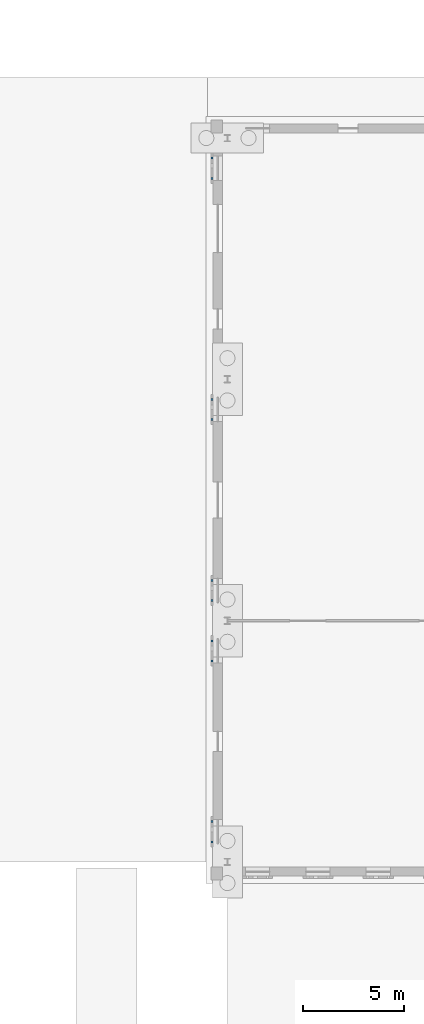
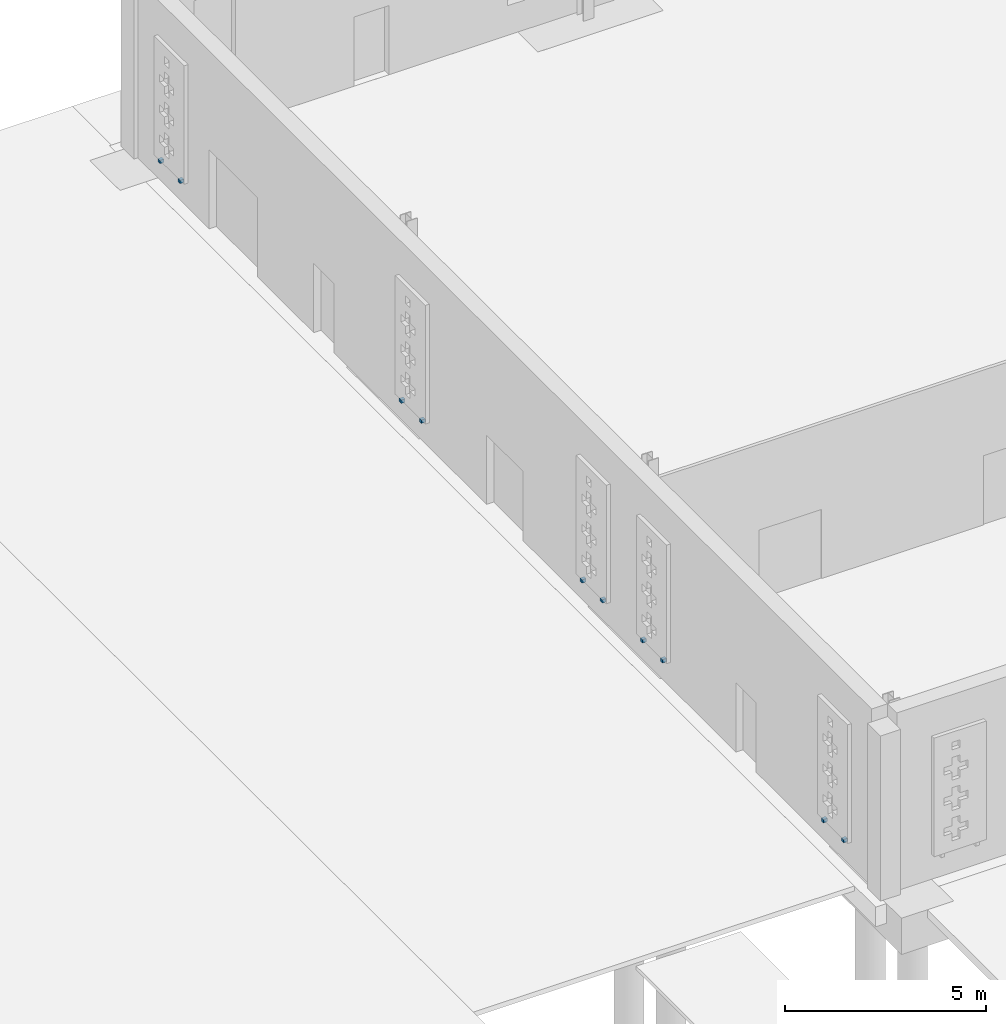
# One storey, part 117 of 132: 10 discrete accessories.
"""IFC4 building model written with IfcOpenShell, lengths in metres."""

import ifcopenshell
import ifcopenshell.guid

model = None  # the IFC model being written
_history = None  # IfcOwnerHistory: only IFC2X3 demands one
_inside = {}  # id of a spatial element -> (the spatial element, [elements in it])
_under = {}  # id of a project, library or spatial element -> (it, [spatial elements below it])
_declared = {}  # id of a project -> (the project, [libraries it declares])
_typed = {}  # id of a type object -> (the type object, [elements of that type])
_made_of = {}  # id of a material, layer set ... -> (it, [elements and type objects made of it])


def new_model(schema):
    """Start an empty IFC model of exactly this schema.

    Asked for "IFC4X3", IfcOpenShell would pick the latest addendum, in which some entities
    have other attributes; the version numbers below select the first issue.
    IFC2X3 requires an IfcOwnerHistory on every rooted entity: one is made here for all.
    """
    global model, _history
    if schema == "IFC4X3":
        model = ifcopenshell.file(schema_version=(4, 3, 0, 0))
    else:
        model = ifcopenshell.file(schema=schema)
    _inside.clear()
    _under.clear()
    _declared.clear()
    _typed.clear()
    _made_of.clear()
    _history = None
    if model.schema == "IFC2X3":
        org = make("IfcOrganization", Name="unknown")
        user = make(
            "IfcPersonAndOrganization",
            ThePerson=make("IfcPerson", FamilyName="unknown"),
            TheOrganization=org,
        )
        app = make(
            "IfcApplication",
            ApplicationDeveloper=org,
            Version="unknown",
            ApplicationFullName="unknown",
            ApplicationIdentifier="unknown",
        )
        _history = make(
            "IfcOwnerHistory",
            OwningUser=user,
            OwningApplication=app,
            ChangeAction="ADDED",
            CreationDate=0,
        )
    return model


def make(cls, **values):
    """One entity of the class cls with the attributes given. An attribute that is None is left unset."""
    return model.create_entity(
        cls, **{name: value for name, value in values.items() if value is not None}
    )


def rooted(cls, **values):
    """An entity with a GlobalId (a new one), such as an element, a storey or a relation."""
    return make(cls, GlobalId=ifcopenshell.guid.new(), OwnerHistory=_history, **values)


def si_unit(unit_type, name, prefix=None):
    """IfcSIUnit, for example si_unit("LENGTHUNIT", "METRE", prefix="MILLI")."""
    return make("IfcSIUnit", UnitType=unit_type, Prefix=prefix, Name=name)


def assignment(units):
    """IfcUnitAssignment: the units of a project."""
    return None if units is None else make("IfcUnitAssignment", Units=units)


def point(xyz):
    """IfcCartesianPoint."""
    return None if xyz is None else make("IfcCartesianPoint", Coordinates=xyz)


def direction(xyz):
    """IfcDirection."""
    return None if xyz is None else make("IfcDirection", DirectionRatios=xyz)


def frame(location, z_axis=None, x_axis=None):
    """IfcAxis2Placement3D, a coordinate frame: its origin and axes. An axis left out is left unset."""
    return make(
        "IfcAxis2Placement3D",
        Location=point(location),
        Axis=direction(z_axis),
        RefDirection=direction(x_axis),
    )


def frame_2d(location, x_axis=None):
    """IfcAxis2Placement2D, a coordinate frame in the plane: its origin and x axis."""
    return make(
        "IfcAxis2Placement2D", Location=point(location), RefDirection=direction(x_axis)
    )


def origin():
    """The frame at (0, 0, 0) with its axes left unset."""
    return frame((0.0, 0.0, 0.0))


def origin_2d():
    """The frame at (0, 0) in the plane with its x axis left unset."""
    return frame_2d((0.0, 0.0))


def place(relative_to, where):
    """IfcLocalPlacement: puts the frame where relative to a parent placement (None: the world)."""
    return make(
        "IfcLocalPlacement", PlacementRelTo=relative_to, RelativePlacement=where
    )


def context(
    kind, dimensions, precision=None, world=None, true_north=None, identifier=None
):
    """IfcGeometricRepresentationContext, for example the 3D "Model" context."""
    return make(
        "IfcGeometricRepresentationContext",
        ContextIdentifier=identifier,
        ContextType=kind,
        CoordinateSpaceDimension=dimensions,
        Precision=precision,
        WorldCoordinateSystem=world,
        TrueNorth=true_north,
    )


def subcontext(parent, identifier, kind, view, scale=None):
    """IfcGeometricRepresentationSubContext, for example "Body" below "Model"."""
    return make(
        "IfcGeometricRepresentationSubContext",
        ContextIdentifier=identifier,
        ContextType=kind,
        ParentContext=parent,
        TargetScale=scale,
        TargetView=view,
    )


def project(units=None, contexts=None):
    """IfcProject with its units and contexts."""
    return rooted(
        "IfcProject",
        Name="project",
        RepresentationContexts=contexts,
        UnitsInContext=assignment(units),
    )


def spatial(cls, under=None, at=None, **own):
    """A site, building, storey or space (cls), placed at a placement, below another one or the project."""
    s = rooted(cls, ObjectPlacement=at, **own)
    if under is not None:
        _under.setdefault(under.id(), (under, []))[1].append(s)
    return s


def profile(cls, at=None, kind="AREA", **sizes):
    """A parametric profile (cls). Its sizes go by their IFC names, for example OverallWidth=200.0."""
    return make(cls, ProfileType=kind, Position=at, **sizes)


def rectangle(**sizes):
    """IfcRectangleProfileDef."""
    return profile("IfcRectangleProfileDef", **sizes)


def extrude(swept, where, along, depth):
    """IfcExtrudedAreaSolid: the profile swept, set in the frame where, extruded along a direction by depth."""
    return make(
        "IfcExtrudedAreaSolid",
        SweptArea=swept,
        Position=where,
        ExtrudedDirection=direction(along),
        Depth=depth,
    )


def shape(context_of_items, identifier, shape_type, items):
    """IfcShapeRepresentation: the items that make up one representation, for example the "Body"."""
    return make(
        "IfcShapeRepresentation",
        ContextOfItems=context_of_items,
        RepresentationIdentifier=identifier,
        RepresentationType=shape_type,
        Items=items,
    )


def material(Name=None, Category=None):
    """IfcMaterial."""
    return make("IfcMaterial", Name=Name, Category=Category)


def made_of(thing, what):
    """Note that an element or type object is made of a material, layer set ...; save() writes the relation."""
    if what is not None:
        _made_of.setdefault(what.id(), (what, []))[1].append(thing)
    return thing


def type_object(cls, material=None, **own):
    """A type object (cls), such as IfcWallType, which elements share."""
    return made_of(rooted(cls, **own), material)


def element(
    cls,
    number,
    at=None,
    inside=None,
    cuts=None,
    type_object=None,
    material=None,
    context=None,
    identifier="Body",
    shape_type=None,
    held_by="IfcProductDefinitionShape",
    body=None,
    shapes=None,
    **own,
):
    """One element of the class cls, such as IfcWall. Its Tag is "e" and its number.

    at: its placement. inside: the storey or other place that contains it. cuts: it is an
    opening in that element (IfcRelVoidsElement). A single representation is given by context,
    identifier, shape_type and body (its items); several are given by shapes. held_by: the class
    of the entity that holds the representations. save() writes the other relations.
    """
    e = rooted(cls, Tag="e%d" % number, ObjectPlacement=at, **own)
    if body is not None:
        shapes = [shape(context, identifier, shape_type, body)]
    if shapes is not None:
        e.Representation = make(held_by, Representations=shapes)
    if inside is not None:
        _inside.setdefault(inside.id(), (inside, []))[1].append(e)
    if cuts is not None:
        rooted(
            "IfcRelVoidsElement", RelatingBuildingElement=cuts, RelatedOpeningElement=e
        )
    if type_object is not None:
        _typed.setdefault(type_object.id(), (type_object, []))[1].append(e)
    return made_of(e, material)


def aggregate(whole, parts):
    """IfcRelAggregates: a whole, such as a stair, and the parts it consists of."""
    return rooted("IfcRelAggregates", RelatingObject=whole, RelatedObjects=parts)


def save(model, path):
    """Write the relations noted so far, then the file.

    IfcRelAggregates (storeys below a building ...), IfcRelContainedInSpatialStructure (elements
    in a storey), IfcRelDefinesByType, IfcRelAssociatesMaterial and IfcRelDeclares: one each for
    every whole, place, type object, material and project.
    """
    for whole, parts in _under.values():
        aggregate(whole, parts)
    for where, things in _inside.values():
        rooted(
            "IfcRelContainedInSpatialStructure",
            RelatedElements=things,
            RelatingStructure=where,
        )
    for kind, things in _typed.values():
        rooted("IfcRelDefinesByType", RelatedObjects=things, RelatingType=kind)
    for what, things in _made_of.values():
        rooted("IfcRelAssociatesMaterial", RelatedObjects=things, RelatingMaterial=what)
    for by, libraries in _declared.values():
        rooted("IfcRelDeclares", RelatingContext=by, RelatedDefinitions=libraries)
    model.write(path)


model = new_model("IFC4")

# Units and contexts
model_context = context("Model", 3, precision=1e-05, world=origin(), true_north=direction((0.0, 1.0)))
body_context = subcontext(model_context, "Body", "Model", "MODEL_VIEW")
ifc_project = project(units=[si_unit("LENGTHUNIT", "METRE"), si_unit("AREAUNIT", "SQUARE_METRE"), si_unit("VOLUMEUNIT", "CUBIC_METRE"), si_unit("PLANEANGLEUNIT", "RADIAN"), si_unit("MASSUNIT", "GRAM", prefix="KILO")], contexts=[model_context])

# Site, building, storey
site_placement = place(None, origin())
site = spatial("IfcSite", under=ifc_project, at=site_placement, CompositionType="ELEMENT")
building_placement = place(site_placement, origin())
building = spatial("IfcBuilding", under=site, at=building_placement, Name="Ravi Spectrum Wholesale Market", CompositionType="ELEMENT")
storey_placement = place(building_placement, origin())
storey = spatial("IfcBuildingStorey", under=building, at=storey_placement, Name="L00", CompositionType="ELEMENT", Elevation=0.0)

# Discrete accessories
ifc_material = material(Name="Steel S355", Category="steel")
discrete_accessory_type = type_object("IfcDiscreteAccessoryType", Name="Steel angle bracket 100 x 115", PredefinedType="BRACKET", material=ifc_material)
for number, where, z_axis, x_axis, name in (
    (1, (161.232421875, 233.0, 0.64990234375), (0.0, 0.0, 1.0), (1.0, 0.0, 0.0), "Screen bracket"),
    (2, (161.232421875, 232.0, 0.64990234375), (0.0, 0.0, 1.0), (1.0, 0.0, 0.0), "Screen bracket"),
    (3, (161.232421875, 221.0, 0.64990234375), (0.0, 0.0, 1.0), (1.0, 0.0, 0.0), "Screen bracket"),
    (4, (161.232421875, 220.0, 0.64990234375), (0.0, 0.0, 1.0), (1.0, 0.0, 0.0), "Screen bracket"),
    (5, (161.232421875, 212.0, 0.64990234375), (0.0, 0.0, 1.0), (1.0, 0.0, 0.0), "Screen bracket"),
    (6, (161.232421875, 211.0, 0.64990234375), (0.0, 0.0, 1.0), (1.0, 0.0, 0.0), "Screen bracket"),
    (7, (161.232421875, 209.0, 0.64990234375), (0.0, 0.0, 1.0), (1.0, 0.0, 0.0), "Screen bracket"),
    (8, (161.232421875, 208.0, 0.64990234375), (0.0, 0.0, 1.0), (1.0, 0.0, 0.0), "Screen bracket"),
    (9, (161.232421875, 200.0, 0.64990234375), (0.0, 0.0, 1.0), (1.0, 0.0, 0.0), "Screen bracket"),
    (10, (161.232421875, 199.0, 0.64990234375), (0.0, 0.0, 1.0), (1.0, 0.0, 0.0), "Screen bracket"),
):
    element("IfcDiscreteAccessory", number, at=place(storey_placement, frame(where, z_axis=z_axis, x_axis=x_axis)), inside=storey, type_object=discrete_accessory_type, Name=name, PredefinedType="BRACKET", context=body_context, shape_type="SweptSolid", body=[
        extrude(rectangle(XDim=0.114990234375, YDim=0.10009765625, at=origin_2d()), origin(), (0.0, 0.0, 1.0), 0.10009765625),
    ])

save(model, "model.ifc")
